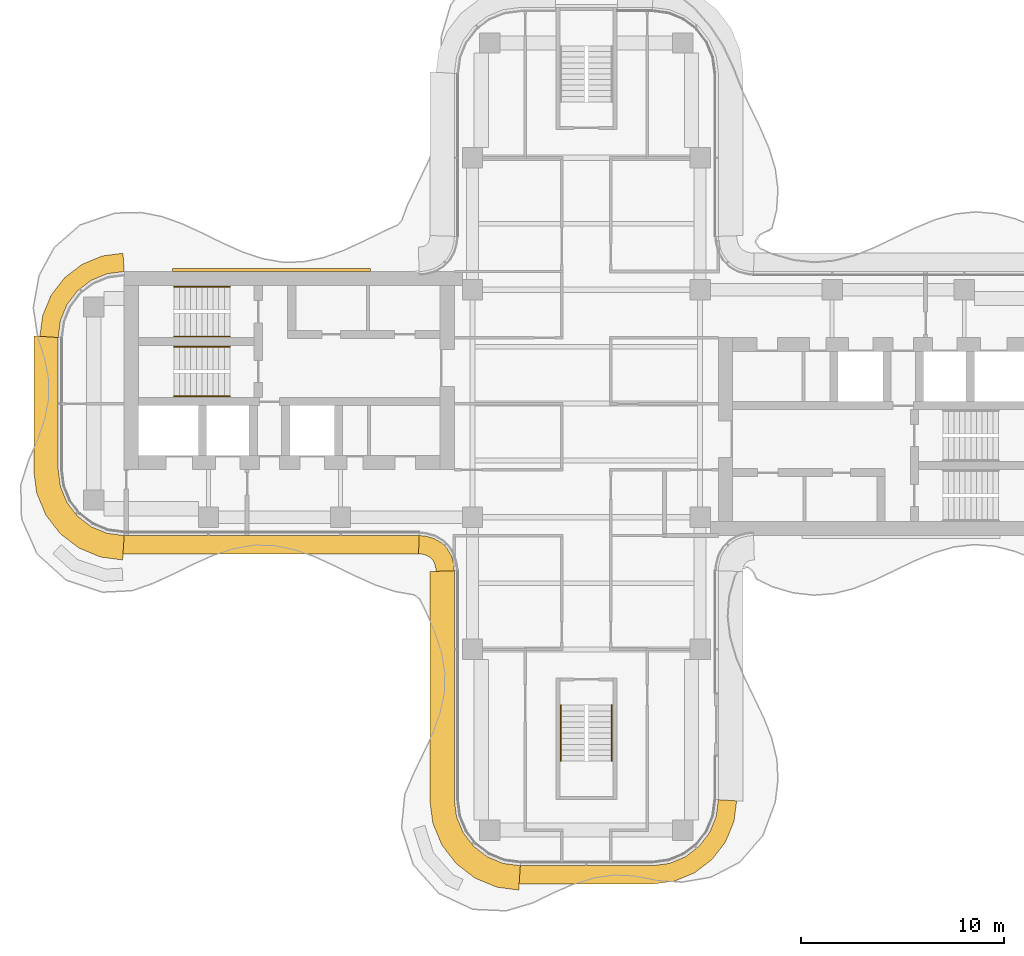
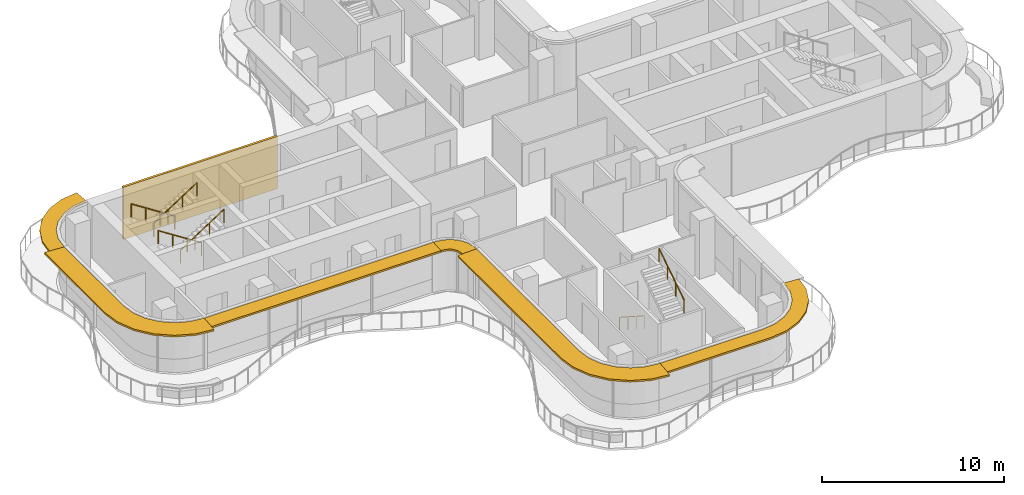
# One storey, part 14 of 15: 6 railings, 6 shading devices, 1 covering.
"""IFC4 building model written with IfcOpenShell, lengths in metres."""

from ifc_helpers import new_model, si_unit, direction, frame, origin, origin_2d, place, context, subcontext, project, spatial, polyline, circle, outline, extrude, source, transform, mapped, material, layer, layer_set, type_object, element, save


model = new_model("IFC4")

# Units and contexts
model_context = context("Model", 3, precision=1e-05, world=origin(), true_north=direction((0.0, 1.0)))
body_context = subcontext(model_context, "Body", "Model", "MODEL_VIEW")
ifc_project = project(units=[si_unit("LENGTHUNIT", "METRE"), si_unit("AREAUNIT", "SQUARE_METRE"), si_unit("VOLUMEUNIT", "CUBIC_METRE"), si_unit("PLANEANGLEUNIT", "RADIAN"), si_unit("MASSUNIT", "GRAM", prefix="KILO")], contexts=[model_context])

# Site, building, storey
site_placement = place(None, origin())
site = spatial("IfcSite", under=ifc_project, at=site_placement, CompositionType="ELEMENT")
building_placement = place(site_placement, origin())
building = spatial("IfcBuilding", under=site, at=building_placement, Name="Trellis Farm Tower", CompositionType="ELEMENT")
storey_placement = place(building_placement, frame((0.0, 0.0, 326.199951171875)))
storey = spatial("IfcBuildingStorey", under=building, at=storey_placement, Name="L74", CompositionType="ELEMENT", Elevation=326.199951171875)

# Covering
ifc_material_1 = material(Name="Perforated precast screen (cobogo)", Category="concrete")
ifc_layer_1 = layer(ifc_material_1, 0.14990234375)
ifc_layer_set_1 = layer_set([ifc_layer_1], Name="COBOGO SCREEN PANEL")
covering_type = type_object("IfcCoveringType", Name="COBOGO SCREEN PANEL", PredefinedType="USERDEFINED", material=ifc_layer_set_1)
covering_placement = place(storey_placement, origin())
element("IfcCovering", 1, at=covering_placement, inside=storey, type_object=covering_type, Name="SC1 03", ObjectType="SCREEN", PredefinedType="USERDEFINED", context=body_context, shape_type="SweptSolid", body=[
    extrude(outline(polyline([(-10.61572265625, 6.64990234375), (-20.36572265625, 6.64990234375), (-20.36572265625, 6.5), (-10.61572265625, 6.5), (-10.61572265625, 6.64990234375)])), origin(), (0.0, 0.0, 1.0), 3.5),
])

# Railings
ifc_material_2 = material(Name="Stainless steel", Category="steel")
railing_type = type_object("IfcRailingType", Name="STAIR HANDRAIL 900", PredefinedType="HANDRAIL", material=ifc_material_2)
shared_shape_1 = source(origin(), body_context, "Body", "SweptSolid", [
    extrude(circle(Radius=0.02392578125, at=origin_2d()), frame((0.0, 0.0, 0.8759765625), z_axis=(0.0, 0.840503830235, 0.541805602924), x_axis=(-1.0, 0.0, 0.0)), (0.0, 0.0, 1.0), 3.271728515625),
    extrude(circle(Radius=0.02099609375, at=origin_2d()), origin(), (0.0, 0.0, 1.0), 0.851806640625),
    extrude(circle(Radius=0.02099609375, at=origin_2d()), frame((0.0, 0.916748046875, 0.5908203125)), (0.0, 0.0, 1.0), 0.851806640625),
    extrude(circle(Radius=0.02099609375, at=origin_2d()), frame((0.0, 1.833251953125, 1.181884765625)), (0.0, 0.0, 1.0), 0.851806640625),
    extrude(circle(Radius=0.02099609375, at=origin_2d()), frame((0.0, 2.75, 1.772705078125)), (0.0, 0.0, 1.0), 0.851806640625),
])
railing_1_placement = place(storey_placement, frame((1.25, -17.60009765625, 2.12744140625)))
element("IfcRailing", 2, at=railing_1_placement, inside=storey, type_object=railing_type, Name="Stair handrail", PredefinedType="HANDRAIL", context=body_context, shape_type="MappedRepresentation", body=[
    mapped(shared_shape_1, transform((0.0, 0.0, 0.0))),
])
shared_shape_2 = source(origin(), body_context, "Body", "SweptSolid", [
    extrude(circle(Radius=0.02392578125, at=origin_2d()), frame((0.0, 0.0, 0.8759765625), z_axis=(0.0, -0.840503830235, 0.541805602924), x_axis=(1.0, 0.0, 0.0)), (0.0, 0.0, 1.0), 3.271728515625),
    extrude(circle(Radius=0.02099609375, at=origin_2d()), origin(), (0.0, 0.0, 1.0), 0.851806640625),
    extrude(circle(Radius=0.02099609375, at=origin_2d()), frame((0.0, -0.916748046875, 0.5908203125)), (0.0, 0.0, 1.0), 0.851806640625),
    extrude(circle(Radius=0.02099609375, at=origin_2d()), frame((0.0, -1.833251953125, 1.181884765625)), (0.0, 0.0, 1.0), 0.851806640625),
    extrude(circle(Radius=0.02099609375, at=origin_2d()), frame((0.0, -2.75, 1.772705078125)), (0.0, 0.0, 1.0), 0.851806640625),
])
railing_2_placement = place(storey_placement, frame((-1.25, -14.85009765625, 0.17724609375)))
element("IfcRailing", 3, at=railing_2_placement, inside=storey, type_object=railing_type, Name="Stair handrail", PredefinedType="HANDRAIL", context=body_context, shape_type="MappedRepresentation", body=[
    mapped(shared_shape_2, transform((0.0, 0.0, 0.0))),
])
shared_shape_3 = source(origin(), body_context, "Body", "SweptSolid", [
    extrude(circle(Radius=0.02392578125, at=origin_2d()), frame((0.0, 0.0, 0.8759765625), z_axis=(0.840503830235, 0.0, 0.541805602924), x_axis=(0.0, 1.0, 0.0)), (0.0, 0.0, 1.0), 3.271728515625),
    extrude(circle(Radius=0.02099609375, at=origin_2d()), origin(), (0.0, 0.0, 1.0), 0.851806640625),
    extrude(circle(Radius=0.02099609375, at=origin_2d()), frame((0.916748046875, 0.0, 0.5908203125)), (0.0, 0.0, 1.0), 0.851806640625),
    extrude(circle(Radius=0.02099609375, at=origin_2d()), frame((1.833251953125, 0.0, 1.181884765625)), (0.0, 0.0, 1.0), 0.851806640625),
    extrude(circle(Radius=0.02099609375, at=origin_2d()), frame((2.75, 0.0, 1.772705078125)), (0.0, 0.0, 1.0), 0.851806640625),
])
for number, where, name in (
    (4, (-20.300048828125, 3.300048828125, 2.12744140625), "Stair handrail"),
    (5, (-20.300048828125, 0.35009765625, 2.12744140625), "Stair handrail"),
):
    element("IfcRailing", number, at=place(storey_placement, frame(where)), inside=storey, type_object=railing_type, Name=name, PredefinedType="HANDRAIL", context=body_context, shape_type="MappedRepresentation", body=[
        mapped(shared_shape_3, transform((0.0, 0.0, 0.0))),
    ])
shared_shape_4 = source(origin(), body_context, "Body", "SweptSolid", [
    extrude(circle(Radius=0.02392578125, at=origin_2d()), frame((0.0, 0.0, 0.8759765625), z_axis=(-0.840503830235, 0.0, 0.541805602924), x_axis=(0.0, -1.0, 0.0)), (0.0, 0.0, 1.0), 3.271728515625),
    extrude(circle(Radius=0.02099609375, at=origin_2d()), origin(), (0.0, 0.0, 1.0), 0.851806640625),
    extrude(circle(Radius=0.02099609375, at=origin_2d()), frame((-0.916748046875, 0.0, 0.5908203125)), (0.0, 0.0, 1.0), 0.851806640625),
    extrude(circle(Radius=0.02099609375, at=origin_2d()), frame((-1.833251953125, 0.0, 1.181884765625)), (0.0, 0.0, 1.0), 0.851806640625),
    extrude(circle(Radius=0.02099609375, at=origin_2d()), frame((-2.75, 0.0, 1.772705078125)), (0.0, 0.0, 1.0), 0.851806640625),
])
for number, where, name in (
    (6, (-17.550048828125, 5.75, 0.17724609375), "Stair handrail"),
    (7, (-17.550048828125, 2.800048828125, 0.17724609375), "Stair handrail"),
):
    element("IfcRailing", number, at=place(storey_placement, frame(where)), inside=storey, type_object=railing_type, Name=name, PredefinedType="HANDRAIL", context=body_context, shape_type="MappedRepresentation", body=[
        mapped(shared_shape_4, transform((0.0, 0.0, 0.0))),
    ])

# Shading devices
ifc_material_3 = material(Name="Aluminium extrusion 6063-T6", Category="aluminium")
ifc_layer_2 = layer(ifc_material_3, 0.1201171875)
ifc_layer_set_2 = layer_set([ifc_layer_2], Name="SUNSHADE BLADE 900")
shading_device_type_1 = type_object("IfcShadingDeviceType", Name="SUNSHADE BLADE 900", PredefinedType="USERDEFINED", material=ifc_layer_set_2)
shared_shape_5 = source(origin(), body_context, "Body", "SweptSolid", [
    extrude(outline(polyline([(-8.2607421875, -7.39990234375), (-8.107666015625, -7.409912109375), (-8.091552734375, -7.412109375), (-7.85595703125, -7.475341796875), (-7.697021484375, -7.567138671875), (-7.567138671875, -7.697021484375), (-7.475341796875, -7.85595703125), (-7.412109375, -8.091552734375), (-7.409912109375, -8.107666015625), (-7.39990234375, -8.2607421875), (-6.5, -8.2314453125), (-6.513916015625, -8.01953125), (-6.527587890625, -7.91552734375), (-6.63671875, -7.508544921875), (-6.846923828125, -7.144287109375), (-7.144287109375, -6.846923828125), (-7.508544921875, -6.63671875), (-7.91552734375, -6.527587890625), (-8.01953125, -6.513916015625), (-8.2314453125, -6.5), (-8.2607421875, -7.39990234375)])), origin(), (0.0, 0.0, 1.0), 0.119873046875),
])
placement = place(storey_placement, frame((0.0, 0.0, 3.340087890625)))
element("IfcShadingDevice", 8, at=placement, inside=storey, type_object=shading_device_type_1, Name="SD1 002", ObjectType="SUNSHADE", PredefinedType="USERDEFINED", context=body_context, shape_type="MappedRepresentation", body=[
    mapped(shared_shape_5, transform((0.0, 0.0, 0.0))),
])
ifc_layer_3 = layer(ifc_material_3, 0.1201171875)
ifc_layer_set_3 = layer_set([ifc_layer_3], Name="SUNSHADE BLADE 1200")
shading_device_type_2 = type_object("IfcShadingDeviceType", Name="SUNSHADE BLADE 1200", PredefinedType="USERDEFINED", material=ifc_layer_set_3)
shared_shape_6 = source(origin(), body_context, "Body", "SweptSolid", [
    extrude(outline(polyline([(-7.699951171875, -8.270751953125), (-7.699951171875, -19.57861328125), (-7.558349609375, -20.654541015625), (-7.11279296875, -21.730224609375), (-6.404052734375, -22.654052734375), (-5.480224609375, -23.36279296875), (-4.404541015625, -23.808349609375), (-3.32861328125, -23.949951171875), (-3.25, -22.75), (-4.091064453125, -22.63916015625), (-4.875, -22.314697265625), (-5.548095703125, -21.798095703125), (-6.064697265625, -21.125), (-6.38916015625, -20.341064453125), (-6.5, -19.5), (-6.5, -8.2314453125), (-7.699951171875, -8.270751953125)])), origin(), (0.0, 0.0, 1.0), 0.119873046875),
])
element("IfcShadingDevice", 9, at=placement, inside=storey, type_object=shading_device_type_2, Name="SD2 003", ObjectType="SUNSHADE", PredefinedType="USERDEFINED", context=body_context, shape_type="MappedRepresentation", body=[
    mapped(shared_shape_6, transform((0.0, 0.0, 0.0))),
])
shared_shape_7 = source(origin(), body_context, "Body", "SweptSolid", [
    extrude(outline(polyline([(-3.30908203125, -23.64990234375), (3.30908203125, -23.64990234375), (4.326171875, -23.51611328125), (5.328857421875, -23.100830078125), (6.18994140625, -22.43994140625), (6.850830078125, -21.578857421875), (7.26611328125, -20.576171875), (7.39990234375, -19.55908203125), (6.5, -19.5), (6.38916015625, -20.341064453125), (6.064697265625, -21.125), (5.548095703125, -21.798095703125), (4.875, -22.314697265625), (4.091064453125, -22.63916015625), (3.25, -22.75), (-3.25, -22.75), (-3.30908203125, -23.64990234375)])), origin(), (0.0, 0.0, 1.0), 0.119873046875),
])
element("IfcShadingDevice", 10, at=placement, inside=storey, type_object=shading_device_type_1, Name="SD1 004", ObjectType="SUNSHADE", PredefinedType="USERDEFINED", context=body_context, shape_type="MappedRepresentation", body=[
    mapped(shared_shape_7, transform((0.0, 0.0, 0.0))),
])
shared_shape_8 = source(origin(), body_context, "Body", "SweptSolid", [
    extrude(outline(polyline([(-22.80908203125, -7.39990234375), (-8.2607421875, -7.39990234375), (-8.2314453125, -6.5), (-22.75, -6.5), (-22.80908203125, -7.39990234375)])), origin(), (0.0, 0.0, 1.0), 0.119873046875),
])
element("IfcShadingDevice", 11, at=placement, inside=storey, type_object=shading_device_type_1, Name="SD1 001", ObjectType="SUNSHADE", PredefinedType="USERDEFINED", context=body_context, shape_type="MappedRepresentation", body=[
    mapped(shared_shape_8, transform((0.0, 0.0, 0.0))),
])
shared_shape_9 = source(origin(), body_context, "Body", "SweptSolid", [
    extrude(outline(polyline([(-22.80908203125, 7.39990234375), (-23.826171875, 7.26611328125), (-24.828857421875, 6.850830078125), (-25.68994140625, 6.18994140625), (-26.350830078125, 5.328857421875), (-26.76611328125, 4.326171875), (-26.89990234375, 3.30908203125), (-26.0, 3.25), (-25.88916015625, 4.091064453125), (-25.564697265625, 4.875), (-25.048095703125, 5.548095703125), (-24.375, 6.064697265625), (-23.591064453125, 6.38916015625), (-22.75, 6.5), (-22.80908203125, 7.39990234375)])), origin(), (0.0, 0.0, 1.0), 0.119873046875),
])
element("IfcShadingDevice", 12, at=placement, inside=storey, type_object=shading_device_type_1, Name="SD1 016", ObjectType="SUNSHADE", PredefinedType="USERDEFINED", context=body_context, shape_type="MappedRepresentation", body=[
    mapped(shared_shape_9, transform((0.0, 0.0, 0.0))),
])
shared_shape_10 = source(origin(), body_context, "Body", "SweptSolid", [
    extrude(outline(polyline([(-27.199951171875, 3.32861328125), (-27.199951171875, -3.32861328125), (-27.058349609375, -4.404541015625), (-26.61279296875, -5.480224609375), (-25.904052734375, -6.404052734375), (-24.980224609375, -7.11279296875), (-23.904541015625, -7.558349609375), (-22.82861328125, -7.699951171875), (-22.75, -6.5), (-23.591064453125, -6.38916015625), (-24.375, -6.064697265625), (-25.048095703125, -5.548095703125), (-25.564697265625, -4.875), (-25.88916015625, -4.091064453125), (-26.0, -3.25), (-26.0, 3.25), (-27.199951171875, 3.32861328125)])), origin(), (0.0, 0.0, 1.0), 0.119873046875),
])
element("IfcShadingDevice", 13, at=placement, inside=storey, type_object=shading_device_type_2, Name="SD2 017", ObjectType="SUNSHADE", PredefinedType="USERDEFINED", context=body_context, shape_type="MappedRepresentation", body=[
    mapped(shared_shape_10, transform((0.0, 0.0, 0.0))),
])

save(model, "model.ifc")
